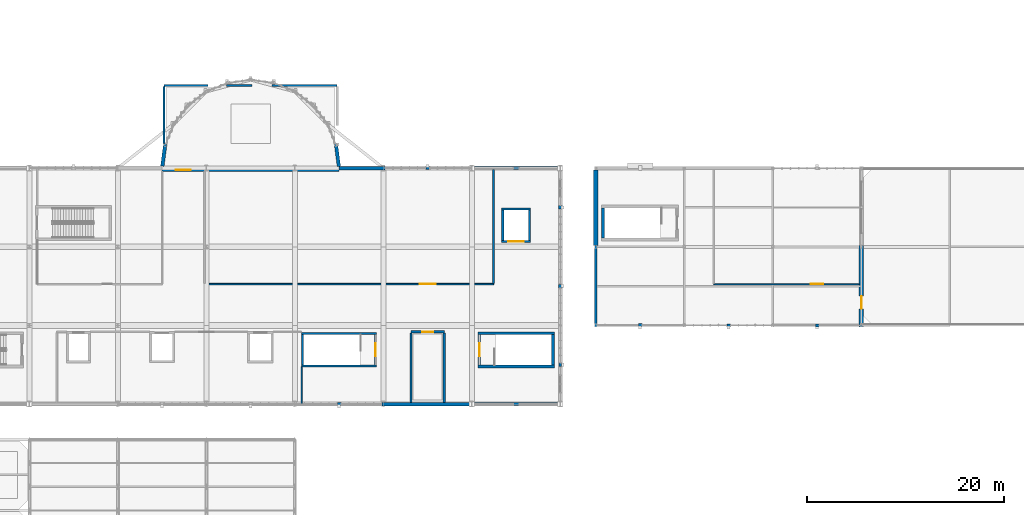
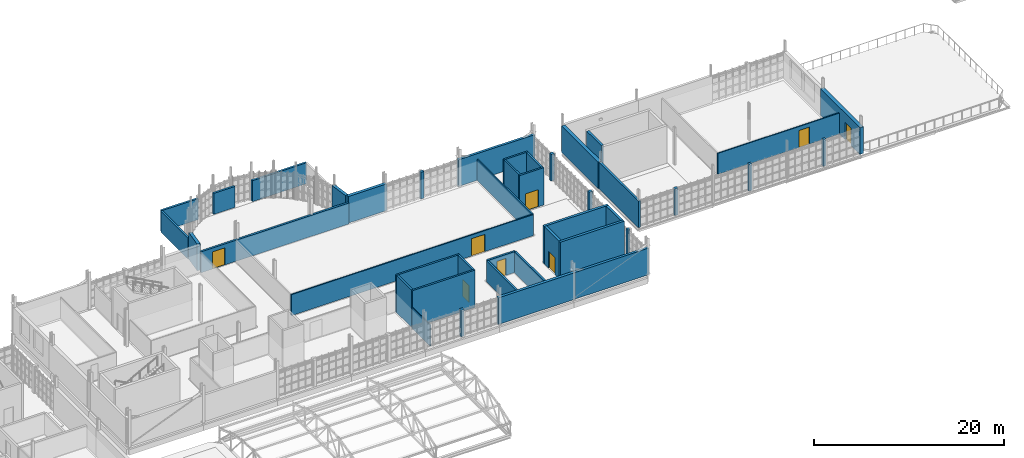
# One storey, part 115 of 128: 42 walls, 8 doors, 8 openings.
"""IFC4 building model written with IfcOpenShell, lengths in metres."""

from ifc_helpers import new_model, si_unit, direction, frame, frame_2d, origin, place, context, subcontext, project, spatial, rectangle, extrude, material, layer, layer_set, type_object, element, fill, save


model = new_model("IFC4")

# Units and contexts
model_context = context("Model", 3, precision=1e-05, world=origin(), true_north=direction((0.0, 1.0)))
body_context = subcontext(model_context, "Body", "Model", "MODEL_VIEW")
ifc_project = project(units=[si_unit("LENGTHUNIT", "METRE"), si_unit("AREAUNIT", "SQUARE_METRE"), si_unit("VOLUMEUNIT", "CUBIC_METRE"), si_unit("PLANEANGLEUNIT", "RADIAN"), si_unit("MASSUNIT", "GRAM", prefix="KILO")], contexts=[model_context])

# Site, building, storey
site_placement = place(None, origin())
site = spatial("IfcSite", under=ifc_project, at=site_placement, CompositionType="ELEMENT")
building_placement = place(site_placement, origin())
building = spatial("IfcBuilding", under=site, at=building_placement, Name="Serraforn Aerial Cableway Station", CompositionType="ELEMENT")
storey_placement = place(building_placement, frame((0.0, 0.0, 9.0)))
storey = spatial("IfcBuildingStorey", under=building, at=storey_placement, Name="L02", CompositionType="ELEMENT", Elevation=9.0)

# Wall, opening, door
ifc_material_1 = material(Name="Concrete C35/45", Category="concrete")
ifc_layer_1 = layer(ifc_material_1, 0.219970703125)
ifc_layer_set_1 = layer_set([ifc_layer_1], Name="Concrete C35/45")
wall_type_1 = type_object("IfcWallType", Name="WL-COR-220", PredefinedType="SHEAR", material=ifc_layer_set_1)
wall_1_placement = place(storey_placement, frame((71.81005859375, 25.06005859375, 0.0), z_axis=(0.0, 0.0, 1.0), x_axis=(0.0, -1.0, 0.0)))
wall_1 = element("IfcWall", 1, at=wall_1_placement, inside=storey, type_object=wall_type_1, Name="Stair Core Shear Wall WCOR-ST-05-L02-NEAR", PredefinedType="SHEAR", context=body_context, shape_type="SweptSolid", body=[
    extrude(rectangle(XDim=3.06005859375, YDim=0.219970703125, at=frame_2d((1.530029296875, 0.0))), origin(), (0.0, 0.0, 1.0), 4.800048828125),
])
opening_1_placement = place(wall_1_placement, frame((0.85498046875, 0.0, 0.0)))
opening_1 = element("IfcOpeningElement", 2, at=opening_1_placement, cuts=wall_1, Name="Opening D-S25", PredefinedType="OPENING", context=body_context, shape_type="SweptSolid", body=[
    extrude(rectangle(XDim=1.35009765625, YDim=2.14990234375, at=frame_2d((0.675048828125, 1.074951171875))), frame((0.0, 0.119873046875, 0.0), z_axis=(0.0, -1.0, 0.0), x_axis=(1.0, 0.0, 0.0)), (0.0, 0.0, 1.0), 0.239990234375),
])
ifc_material_2 = material(Name="Self-closing steel stair fire door", Category="steel")
door_type_1 = type_object("IfcDoorType", Name="DR-STAIR-135", OperationType="NOTDEFINED", PredefinedType="DOOR", material=ifc_material_2)
door_1_placement = place(opening_1_placement, origin())
door_1 = element("IfcDoor", 3, at=door_1_placement, inside=storey, type_object=door_type_1, Name="Protected Stair Door D-S25", OperationType="SINGLE_SWING_LEFT", OverallHeight=2.14990234375, OverallWidth=1.35009765625, PredefinedType="DOOR", context=body_context, shape_type="SweptSolid", body=[
    extrude(rectangle(XDim=1.35009765625, YDim=2.14990234375, at=frame_2d((0.675048828125, 1.074951171875))), frame((0.0, 0.02490234375, 0.0), z_axis=(0.0, -1.0, 0.0), x_axis=(1.0, 0.0, 0.0)), (0.0, 0.0, 1.0), 0.050048828125),
])
fill(opening_1, door_1)

# Walls
wall_2_placement = place(storey_placement, frame((64.389892578125, 25.06005859375, 0.0), z_axis=(0.0, 0.0, 1.0), x_axis=(0.0, -1.0, 0.0)))
element("IfcWall", 4, at=wall_2_placement, inside=storey, type_object=wall_type_1, Name="Stair Core Shear Wall WCOR-ST-05-L02-FAR", PredefinedType="SHEAR", context=body_context, shape_type="SweptSolid", body=[
    extrude(rectangle(XDim=3.06005859375, YDim=0.219970703125, at=frame_2d((1.530029296875, 0.0))), origin(), (0.0, 0.0, 1.0), 4.800048828125),
])
for number, where, z_axis, x_axis, name in (
    (5, (71.919921875, 25.169921875, 0.0), (0.0, 0.0, 1.0), (-1.0, 0.0, 0.0), "Stair Core Shear Wall WCOR-ST-05-L02-L"),
    (6, (71.919921875, 21.889892578125, 0.0), (0.0, 0.0, 1.0), (-1.0, 0.0, 0.0), "Stair Core Shear Wall WCOR-ST-05-L02-R"),
):
    element("IfcWall", number, at=place(storey_placement, frame(where, z_axis=z_axis, x_axis=x_axis)), inside=storey, type_object=wall_type_1, Name=name, PredefinedType="SHEAR", context=body_context, shape_type="SweptSolid", body=[
        extrude(rectangle(XDim=7.639892578125, YDim=0.219970703125, at=frame_2d((3.81982421875, 0.0))), origin(), (0.0, 0.0, 1.0), 4.800048828125),
    ])

# Wall, opening, door
wall_3_placement = place(storey_placement, frame((84.6298828125, 34.5400390625, 0.0), z_axis=(0.0, 0.0, 1.0), x_axis=(1.0, 0.0, 0.0)))
wall_3 = element("IfcWall", 7, at=wall_3_placement, inside=storey, type_object=wall_type_1, Name="Lift Shaft Shear Wall WLFT-LF-05-L02-S", PredefinedType="SHEAR", context=body_context, shape_type="SweptSolid", body=[
    extrude(rectangle(XDim=2.940185546875, YDim=0.219970703125, at=frame_2d((1.47021484375, 0.0))), origin(), (0.0, 0.0, 1.0), 4.800048828125),
])
opening_2_placement = place(wall_3_placement, frame((0.669921875, 0.0, 0.0)))
opening_2 = element("IfcOpeningElement", 8, at=opening_2_placement, cuts=wall_3, Name="Opening LD-21", PredefinedType="OPENING", context=body_context, shape_type="SweptSolid", body=[
    extrude(rectangle(XDim=1.60009765625, YDim=2.199951171875, at=frame_2d((0.800048828125, 1.10009765625))), frame((0.0, 0.119873046875, 0.0), z_axis=(0.0, -1.0, 0.0), x_axis=(1.0, 0.0, 0.0)), (0.0, 0.0, 1.0), 0.239990234375),
])
ifc_material_3 = material(Name="Brushed stainless-steel sliding lift landing door", Category="steel")
door_type_2 = type_object("IfcDoorType", Name="DR-LIFT-160", OperationType="DOUBLE_DOOR_SLIDING", PredefinedType="DOOR", material=ifc_material_3)
door_2_placement = place(opening_2_placement, origin())
door_2 = element("IfcDoor", 9, at=door_2_placement, inside=storey, type_object=door_type_2, Name="Sliding Lift Landing Door LD-21 (LF-05 L02)", OperationType="DOUBLE_DOOR_SLIDING", OverallHeight=2.199951171875, OverallWidth=1.60009765625, PredefinedType="DOOR", context=body_context, shape_type="SweptSolid", body=[
    extrude(rectangle(XDim=1.60009765625, YDim=2.199951171875, at=frame_2d((0.800048828125, 1.10009765625))), frame((0.0, 0.02490234375, 0.0), z_axis=(0.0, -1.0, 0.0), x_axis=(1.0, 0.0, 0.0)), (0.0, 0.0, 1.0), 0.050048828125),
])
fill(opening_2, door_2)

# Walls
wall_4_placement = place(storey_placement, frame((84.6298828125, 37.860107421875, 0.0), z_axis=(0.0, 0.0, 1.0), x_axis=(1.0, 0.0, 0.0)))
element("IfcWall", 10, at=wall_4_placement, inside=storey, type_object=wall_type_1, Name="Lift Shaft Shear Wall WLFT-LF-05-L02-N", PredefinedType="SHEAR", context=body_context, shape_type="SweptSolid", body=[
    extrude(rectangle(XDim=2.940185546875, YDim=0.219970703125, at=frame_2d((1.47021484375, 0.0))), origin(), (0.0, 0.0, 1.0), 4.800048828125),
])
for number, where, z_axis, x_axis, name in (
    (11, (84.739990234375, 34.64990234375, 0.0), (0.0, 0.0, 1.0), (0.0, 1.0, 0.0), "Lift Shaft Shear Wall WLFT-LF-05-L02-W"),
    (12, (87.4599609375, 34.64990234375, 0.0), (0.0, 0.0, 1.0), (0.0, 1.0, 0.0), "Lift Shaft Shear Wall WLFT-LF-05-L02-E"),
):
    element("IfcWall", number, at=place(storey_placement, frame(where, z_axis=z_axis, x_axis=x_axis)), inside=storey, type_object=wall_type_1, Name=name, PredefinedType="SHEAR", context=body_context, shape_type="SweptSolid", body=[
        extrude(rectangle(XDim=3.10009765625, YDim=0.219970703125, at=frame_2d((1.550048828125, 0.0))), origin(), (0.0, 0.0, 1.0), 4.800048828125),
    ])

# Wall, opening, door
ifc_layer_2 = layer(ifc_material_1, 0.300048828125)
ifc_layer_set_2 = layer_set([ifc_layer_2], Name="Concrete C35/45")
wall_type_2 = type_object("IfcWallType", Name="WL-COR-300", PredefinedType="SHEAR", material=ifc_layer_set_2)
wall_5_placement = place(storey_placement, frame((82.35009765625, 22.0, 0.0), z_axis=(0.0, 0.0, 1.0), x_axis=(0.0, 1.0, 0.0)))
wall_5 = element("IfcWall", 13, at=wall_5_placement, inside=storey, type_object=wall_type_2, Name="Stair Core Shear Wall WCOR-ST-13-L02-NEAR", PredefinedType="SHEAR", context=body_context, shape_type="SweptSolid", body=[
    extrude(rectangle(XDim=3.06005859375, YDim=0.300048828125, at=frame_2d((1.530029296875, 0.0))), origin(), (0.0, 0.0, 1.0), 4.800048828125),
])
opening_3_placement = place(wall_5_placement, frame((0.85498046875, 0.0, 0.0)))
opening_3 = element("IfcOpeningElement", 14, at=opening_3_placement, cuts=wall_5, Name="Opening D-S28", PredefinedType="OPENING", context=body_context, shape_type="SweptSolid", body=[
    extrude(rectangle(XDim=1.35009765625, YDim=2.14990234375, at=frame_2d((0.675048828125, 1.074951171875))), frame((0.0, 0.159912109375, 0.0), z_axis=(0.0, -1.0, 0.0), x_axis=(1.0, 0.0, 0.0)), (0.0, 0.0, 1.0), 0.320068359375),
])
door_3_placement = place(opening_3_placement, origin())
door_3 = element("IfcDoor", 15, at=door_3_placement, inside=storey, type_object=door_type_1, Name="Protected Stair Door D-S28", OperationType="SINGLE_SWING_LEFT", OverallHeight=2.14990234375, OverallWidth=1.35009765625, PredefinedType="DOOR", context=body_context, shape_type="SweptSolid", body=[
    extrude(rectangle(XDim=1.35009765625, YDim=2.14990234375, at=frame_2d((0.675048828125, 1.074951171875))), frame((0.0, 0.02490234375, 0.0), z_axis=(0.0, -1.0, 0.0), x_axis=(1.0, 0.0, 0.0)), (0.0, 0.0, 1.0), 0.050048828125),
])
fill(opening_3, door_3)

# Walls
wall_6_placement = place(storey_placement, frame((89.85009765625, 22.0, 0.0), z_axis=(0.0, 0.0, 1.0), x_axis=(0.0, 1.0, 0.0)))
element("IfcWall", 16, at=wall_6_placement, inside=storey, type_object=wall_type_2, Name="Stair Core Shear Wall WCOR-ST-13-L02-FAR", PredefinedType="SHEAR", context=body_context, shape_type="SweptSolid", body=[
    extrude(rectangle(XDim=3.06005859375, YDim=0.300048828125, at=frame_2d((1.530029296875, 0.0))), origin(), (0.0, 0.0, 1.0), 4.800048828125),
])
for number, where, z_axis, x_axis, name in (
    (17, (82.199951171875, 21.85009765625, 0.0), (0.0, 0.0, 1.0), (1.0, 0.0, 0.0), "Stair Core Shear Wall WCOR-ST-13-L02-L"),
    (18, (82.199951171875, 25.2099609375, 0.0), (0.0, 0.0, 1.0), (1.0, 0.0, 0.0), "Stair Core Shear Wall WCOR-ST-13-L02-R"),
):
    element("IfcWall", number, at=place(storey_placement, frame(where, z_axis=z_axis, x_axis=x_axis)), inside=storey, type_object=wall_type_2, Name=name, PredefinedType="SHEAR", context=body_context, shape_type="SweptSolid", body=[
        extrude(rectangle(XDim=7.800048828125, YDim=0.300048828125, at=frame_2d((3.89990234375, 0.0))), origin(), (0.0, 0.0, 1.0), 4.800048828125),
    ])
wall_7_placement = place(storey_placement, frame((94.949951171875, 37.9599609375, 0.0), z_axis=(0.0, 0.0, 1.0), x_axis=(0.0, -1.0, 0.0)))
element("IfcWall", 19, at=wall_7_placement, inside=storey, type_object=wall_type_2, Name="Stair Core Shear Wall WCOR-ST-08-L02-FAR", PredefinedType="SHEAR", context=body_context, shape_type="SweptSolid", body=[
    extrude(rectangle(XDim=3.06005859375, YDim=0.300048828125, at=frame_2d((1.530029296875, 0.0))), origin(), (0.0, 0.0, 1.0), 4.800048828125),
])
ifc_material_4 = material(Name="Insulated stuccoed terracotta facade", Category="masonry")
ifc_layer_3 = layer(ifc_material_4, 0.260009765625)
ifc_layer_set_3 = layer_set([ifc_layer_3], Name="Insulated stuccoed terracotta facade")
wall_type_3 = type_object("IfcWallType", Name="WL-EXT-260", PredefinedType="SOLIDWALL", material=ifc_layer_set_3)
wall_8_placement = place(storey_placement, frame((90.60009765625, 21.820068359375, 0.0), z_axis=(0.0, 0.0, 1.0), x_axis=(0.0, 1.0, 0.0)))
element("IfcWall", 20, at=wall_8_placement, inside=storey, type_object=wall_type_3, Name="Exterior Wall WPIER-CV-L02-E1", PredefinedType="SOLIDWALL", context=body_context, shape_type="SweptSolid", body=[
    extrude(rectangle(XDim=0.35986328125, YDim=0.260009765625, at=frame_2d((0.179931640625, 0.0))), origin(), (0.0, 0.0, 1.0), 3.419921875),
])
wall_9_placement = place(storey_placement, frame((94.199951171875, 34.14990234375, 0.0), z_axis=(0.0, 0.0, 1.0), x_axis=(0.0, -1.0, 0.0)))
element("IfcWall", 21, at=wall_9_placement, inside=storey, type_object=wall_type_3, Name="Exterior Wall WEXT-EL-L02-W1", PredefinedType="SOLIDWALL", context=body_context, shape_type="SweptSolid", body=[
    extrude(rectangle(XDim=8.2998046875, YDim=0.260009765625, at=frame_2d((4.14990234375, 0.0))), origin(), (0.0, 0.0, 1.0), 3.419921875),
])
ifc_material_5 = material(Name="Insulated fluted limestone rainscreen", Category="masonry")
ifc_layer_4 = layer(ifc_material_5, 0.2900390625)
ifc_layer_set_4 = layer_set([ifc_layer_4], Name="Insulated fluted limestone rainscreen")
wall_type_4 = type_object("IfcWallType", Name="WL-EXT-290", PredefinedType="SOLIDWALL", material=ifc_layer_set_4)
wall_10_placement = place(storey_placement, frame((90.75, 42.0, 0.0), z_axis=(0.0, 0.0, 1.0), x_axis=(-1.0, 0.0, 0.0)))
element("IfcWall", 22, at=wall_10_placement, inside=storey, type_object=wall_type_4, Name="Exterior Wall WEXT-CV-L02-N7", PredefinedType="SOLIDWALL", context=body_context, shape_type="SweptSolid", body=[
    extrude(rectangle(XDim=9.300048828125, YDim=0.2900390625, at=frame_2d((4.64990234375, 0.0))), origin(), (0.0, 0.0, 1.0), 3.419921875),
])
wall_11_placement = place(storey_placement, frame((116.52001953125, 26.0, 0.0), z_axis=(0.0, 0.0, 1.0), x_axis=(1.0, 0.0, 0.0)))
element("IfcWall", 23, at=wall_11_placement, inside=storey, type_object=wall_type_4, Name="Exterior Wall WPIER-EL-L02-S3", PredefinedType="SOLIDWALL", context=body_context, shape_type="SweptSolid", body=[
    extrude(rectangle(XDim=0.35986328125, YDim=0.2900390625, at=frame_2d((0.179931640625, 0.0))), origin(), (0.0, 0.0, 1.0), 3.419921875),
])
ifc_layer_5 = layer(ifc_material_5, 0.304931640625)
ifc_layer_set_5 = layer_set([ifc_layer_5], Name="Insulated fluted limestone rainscreen")
wall_type_5 = type_object("IfcWallType", Name="WL-EXT-305", PredefinedType="SOLIDWALL", material=ifc_layer_set_5)
wall_12_placement = place(storey_placement, frame((81.7509765625, 18.0, 0.0), z_axis=(0.0, 0.0, 1.0), x_axis=(1.0, 0.0, 0.0)))
element("IfcWall", 24, at=wall_12_placement, inside=storey, type_object=wall_type_5, Name="Exterior Wall WEXT-CV-L02-S7", PredefinedType="SOLIDWALL", context=body_context, shape_type="SweptSolid", body=[
    extrude(rectangle(XDim=8.9990234375, YDim=0.304931640625, at=frame_2d((4.49951171875, 0.0))), origin(), (0.0, 0.0, 1.0), 3.419921875),
])
ifc_layer_6 = layer(ifc_material_5, 0.320068359375)
ifc_layer_set_6 = layer_set([ifc_layer_6], Name="Insulated fluted limestone rainscreen")
wall_type_6 = type_object("IfcWallType", Name="WL-EXT-320", PredefinedType="SOLIDWALL", material=ifc_layer_set_6)
wall_13_placement = place(storey_placement, frame((77.280029296875, 42.0, 0.0), z_axis=(0.0, 0.0, 1.0), x_axis=(-1.0, 0.0, 0.0)))
element("IfcWall", 25, at=wall_13_placement, inside=storey, type_object=wall_type_6, Name="Exterior Wall WPIER-CV-L02-N6", PredefinedType="SOLIDWALL", context=body_context, shape_type="SweptSolid", body=[
    extrude(rectangle(XDim=0.360107421875, YDim=0.320068359375, at=frame_2d((0.18017578125, 0.0))), origin(), (0.0, 0.0, 1.0), 3.419921875),
])
wall_14_placement = place(storey_placement, frame((107.52001953125, 26.0, 0.0), z_axis=(0.0, 0.0, 1.0), x_axis=(1.0, 0.0, 0.0)))
element("IfcWall", 26, at=wall_14_placement, inside=storey, type_object=wall_type_6, Name="Exterior Wall WPIER-EL-L02-S2", PredefinedType="SOLIDWALL", context=body_context, shape_type="SweptSolid", body=[
    extrude(rectangle(XDim=0.35986328125, YDim=0.320068359375, at=frame_2d((0.179931640625, 0.0))), origin(), (0.0, 0.0, 1.0), 3.419921875),
])
ifc_layer_7 = layer(ifc_material_5, 0.3349609375)
ifc_layer_set_7 = layer_set([ifc_layer_7], Name="Insulated fluted limestone rainscreen")
wall_type_7 = type_object("IfcWallType", Name="WL-EXT-335", PredefinedType="SOLIDWALL", material=ifc_layer_set_7)
wall_15_placement = place(storey_placement, frame((72.449951171875, 18.0, 0.0), z_axis=(0.0, 0.0, 1.0), x_axis=(1.0, 0.0, 0.0)))
element("IfcWall", 27, at=wall_15_placement, inside=storey, type_object=wall_type_7, Name="Exterior Wall WEXT-CV-L02-S6", PredefinedType="SOLIDWALL", context=body_context, shape_type="SweptSolid", body=[
    extrude(rectangle(XDim=9.300048828125, YDim=0.3349609375, at=frame_2d((4.64990234375, 0.0))), origin(), (0.0, 0.0, 1.0), 3.419921875),
])
ifc_material_6 = material(Name="Montjuic sandstone ashlar masonry", Category="masonry")
ifc_layer_8 = layer(ifc_material_6, 0.35009765625)
ifc_layer_set_8 = layer_set([ifc_layer_8], Name="Montjuic sandstone ashlar masonry")
wall_type_8 = type_object("IfcWallType", Name="WL-EXT-350", PredefinedType="SOLIDWALL", material=ifc_layer_set_8)
wall_16_placement = place(storey_placement, frame((72.75, 42.0, 0.0), z_axis=(0.0, 0.0, 1.0), x_axis=(-1.0, 0.0, 0.0)))
element("IfcWall", 28, at=wall_16_placement, inside=storey, type_object=wall_type_8, Name="Exterior Wall WEXT-CV-L02-N5", PredefinedType="SOLIDWALL", context=body_context, shape_type="SweptSolid", body=[
    extrude(rectangle(XDim=4.64990234375, YDim=0.35009765625, at=frame_2d((2.324951171875, 0.0))), origin(), (0.0, 0.0, 1.0), 3.419921875),
])
wall_17_placement = place(storey_placement, frame((68.0771484375, 42.173095703125, 0.0), z_axis=(0.0, 0.0, 1.0), x_axis=(-0.130563022508, 0.991440011878, 0.0)))
element("IfcWall", 29, at=wall_17_placement, inside=storey, type_object=wall_type_8, Name="Exterior Wall WEXT-AP-L02-R12", PredefinedType="SOLIDWALL", context=body_context, shape_type="SweptSolid", body=[
    extrude(rectangle(XDim=2.328125, YDim=0.35009765625, at=frame_2d((1.1640625, 0.0))), origin(), (0.0, 0.0, 1.0), 3.419921875),
])
wall_18_placement = place(storey_placement, frame((98.52001953125, 26.0, 0.0), z_axis=(0.0, 0.0, 1.0), x_axis=(1.0, 0.0, 0.0)))
element("IfcWall", 30, at=wall_18_placement, inside=storey, type_object=wall_type_8, Name="Exterior Wall WPIER-EL-L02-S1", PredefinedType="SOLIDWALL", context=body_context, shape_type="SweptSolid", body=[
    extrude(rectangle(XDim=0.35986328125, YDim=0.35009765625, at=frame_2d((0.179931640625, 0.0))), origin(), (0.0, 0.0, 1.0), 3.419921875),
])
ifc_layer_9 = layer(ifc_material_6, 0.364990234375)
ifc_layer_set_9 = layer_set([ifc_layer_9], Name="Montjuic sandstone ashlar masonry")
wall_type_9 = type_object("IfcWallType", Name="WL-EXT-365", PredefinedType="SOLIDWALL", material=ifc_layer_set_9)
wall_19_placement = place(storey_placement, frame((67.919921875, 18.0, 0.0), z_axis=(0.0, 0.0, 1.0), x_axis=(1.0, 0.0, 0.0)))
element("IfcWall", 31, at=wall_19_placement, inside=storey, type_object=wall_type_9, Name="Exterior Wall WPIER-CV-L02-S5", PredefinedType="SOLIDWALL", context=body_context, shape_type="SweptSolid", body=[
    extrude(rectangle(XDim=0.360107421875, YDim=0.364990234375, at=frame_2d((0.18017578125, 0.0))), origin(), (0.0, 0.0, 1.0), 3.419921875),
])
wall_20_placement = place(storey_placement, frame((50.4267578125, 44.481201171875, 0.0), z_axis=(0.0, 0.0, 1.0), x_axis=(-0.130580632599, -0.991437692641, 0.0)))
element("IfcWall", 32, at=wall_20_placement, inside=storey, type_object=wall_type_9, Name="Exterior Wall WEXT-AP-L02-R1", PredefinedType="SOLIDWALL", context=body_context, shape_type="SweptSolid", body=[
    extrude(rectangle(XDim=2.303466796875, YDim=0.364990234375, at=frame_2d((1.15185546875, 0.0))), origin(), (0.0, 0.0, 1.0), 3.419921875),
])
ifc_layer_10 = layer(ifc_material_6, 0.3798828125)
ifc_layer_set_10 = layer_set([ifc_layer_10], Name="Montjuic sandstone ashlar masonry")
wall_type_10 = type_object("IfcWallType", Name="WL-EXT-380", PredefinedType="SOLIDWALL", material=ifc_layer_set_10)
wall_21_placement = place(storey_placement, frame((90.60009765625, 37.820068359375, 0.0), z_axis=(0.0, 0.0, 1.0), x_axis=(0.0, 1.0, 0.0)))
element("IfcWall", 33, at=wall_21_placement, inside=storey, type_object=wall_type_10, Name="Exterior Wall WPIER-CV-L02-E3", PredefinedType="SOLIDWALL", context=body_context, shape_type="SweptSolid", body=[
    extrude(rectangle(XDim=0.35986328125, YDim=0.3798828125, at=frame_2d((0.179931640625, 0.0))), origin(), (0.0, 0.0, 1.0), 3.419921875),
])
ifc_layer_11 = layer(ifc_material_6, 0.4150390625)
ifc_layer_set_11 = layer_set([ifc_layer_11], Name="Montjuic sandstone ashlar masonry")
wall_type_11 = type_object("IfcWallType", Name="WL-EXT-415", PredefinedType="SOLIDWALL", material=ifc_layer_set_11)
wall_22_placement = place(storey_placement, frame((90.60009765625, 29.820068359375, 0.0), z_axis=(0.0, 0.0, 1.0), x_axis=(0.0, 1.0, 0.0)))
element("IfcWall", 34, at=wall_22_placement, inside=storey, type_object=wall_type_11, Name="Exterior Wall WPIER-CV-L02-E2", PredefinedType="SOLIDWALL", context=body_context, shape_type="SweptSolid", body=[
    extrude(rectangle(XDim=0.35986328125, YDim=0.4150390625, at=frame_2d((0.179931640625, 0.0))), origin(), (0.0, 0.0, 1.0), 3.419921875),
])
wall_23_placement = place(storey_placement, frame((94.199951171875, 41.83154296875, 0.0), z_axis=(0.0, 0.0, 1.0), x_axis=(0.0, -1.0, 0.0)))
element("IfcWall", 35, at=wall_23_placement, inside=storey, type_object=wall_type_11, Name="Exterior Wall WEXT-EL-L02-W2", PredefinedType="SOLIDWALL", context=body_context, shape_type="SweptSolid", body=[
    extrude(rectangle(XDim=7.6806640625, YDim=0.4150390625, at=frame_2d((3.84033203125, 0.0))), origin(), (0.0, 0.0, 1.0), 3.419921875),
])

# Wall, opening, door
ifc_layer_12 = layer(ifc_material_6, 0.429931640625)
ifc_layer_set_12 = layer_set([ifc_layer_12], Name="Montjuic sandstone ashlar masonry")
wall_type_12 = type_object("IfcWallType", Name="WL-EXT-430", PredefinedType="SOLIDWALL", material=ifc_layer_set_12)
wall_24_placement = place(storey_placement, frame((121.199951171875, 25.85009765625, 0.0), z_axis=(0.0, 0.0, 1.0), x_axis=(0.0, 1.0, 0.0)))
wall_24 = element("IfcWall", 36, at=wall_24_placement, inside=storey, type_object=wall_type_12, Name="Exterior Wall WEXT-EL-L02-E1", PredefinedType="SOLIDWALL", context=body_context, shape_type="SweptSolid", body=[
    extrude(rectangle(XDim=8.2998046875, YDim=0.429931640625, at=frame_2d((4.14990234375, 0.0))), origin(), (0.0, 0.0, 1.0), 3.419921875),
])
opening_4_placement = place(wall_24_placement, frame((1.840087890625, 0.0, 0.0)))
opening_4 = element("IfcOpeningElement", 37, at=opening_4_placement, cuts=wall_24, Name="Opening DT-03", PredefinedType="OPENING", context=body_context, shape_type="SweptSolid", body=[
    extrude(rectangle(XDim=1.300048828125, YDim=2.25, at=frame_2d((0.64990234375, 1.125))), frame((0.0, 0.224853515625, 0.0), z_axis=(0.0, -1.0, 0.0), x_axis=(1.0, 0.0, 0.0)), (0.0, 0.0, 1.0), 0.449951171875),
])
ifc_material_7 = material(Name="Anodised bronze thermally broken aluminium and laminated glass", Category="aluminium")
door_type_3 = type_object("IfcDoorType", Name="DR-TER-130", OperationType="SINGLE_SWING_RIGHT", PredefinedType="DOOR", material=ifc_material_7)
door_4_placement = place(opening_4_placement, origin())
door_4 = element("IfcDoor", 38, at=door_4_placement, inside=storey, type_object=door_type_3, Name="Exterior Door DT-EL-L02-TER", OperationType="SINGLE_SWING_RIGHT", OverallHeight=2.25, OverallWidth=1.300048828125, PredefinedType="DOOR", context=body_context, shape_type="SweptSolid", body=[
    extrude(rectangle(XDim=1.300048828125, YDim=2.25, at=frame_2d((0.64990234375, 1.125))), frame((0.0, 0.02490234375, 0.0), z_axis=(0.0, -1.0, 0.0), x_axis=(1.0, 0.0, 0.0)), (0.0, 0.0, 1.0), 0.050048828125),
])
fill(opening_4, door_4)

# Walls
ifc_material_8 = material(Name="Concrete C30/37", Category="concrete")
ifc_layer_13 = layer(ifc_material_8, 0.241943359375)
ifc_layer_set_13 = layer_set([ifc_layer_13], Name="Concrete C30/37")
wall_type_13 = type_object("IfcWallType", Name="WL-FIR-242", PredefinedType="SOLIDWALL", material=ifc_layer_set_13)
wall_25_placement = place(storey_placement, frame((50.300048828125, 50.39990234375, 0.0), z_axis=(0.0, 0.0, 1.0), x_axis=(1.0, 0.0, 0.0)))
element("IfcWall", 39, at=wall_25_placement, inside=storey, type_object=wall_type_13, Name="Interior Partition WPRT-L02-06-180", PredefinedType="SOLIDWALL", context=body_context, shape_type="SweptSolid", body=[
    extrude(rectangle(XDim=4.44287109375, YDim=0.241943359375, at=frame_2d((2.221435546875, 0.0))), origin(), (0.0, 0.0, 1.0), 2.699951171875),
])
wall_26_placement = place(storey_placement, frame((61.299560546875, 50.39990234375, 0.0), z_axis=(0.0, 0.0, 1.0), x_axis=(1.0, 0.0, 0.0)))
element("IfcWall", 40, at=wall_26_placement, inside=storey, type_object=wall_type_13, Name="Interior Partition WPRT-L02-06-182", PredefinedType="SOLIDWALL", context=body_context, shape_type="SweptSolid", body=[
    extrude(rectangle(XDim=6.600341796875, YDim=0.241943359375, at=frame_2d((3.30029296875, 0.0))), origin(), (0.0, 0.0, 1.0), 2.699951171875),
])

# Wall, opening, door
wall_27_placement = place(storey_placement, frame((68.09912109375, 41.800048828125, 0.0), z_axis=(0.0, 0.0, 1.0), x_axis=(-1.0, 0.0, 0.0)))
wall_27 = element("IfcWall", 41, at=wall_27_placement, inside=storey, type_object=wall_type_13, Name="Interior Partition WPRT-L02-06-184", PredefinedType="SOLIDWALL", context=body_context, shape_type="SweptSolid", body=[
    extrude(rectangle(XDim=17.9990234375, YDim=0.241943359375, at=frame_2d((8.99951171875, 0.0))), origin(), (0.0, 0.0, 1.0), 2.699951171875),
])
opening_5_placement = place(wall_27_placement, frame((15.089111328125, 0.0, 0.0)))
opening_5 = element("IfcOpeningElement", 42, at=opening_5_placement, cuts=wall_27, Name="Opening DI-056", PredefinedType="OPENING", context=body_context, shape_type="SweptSolid", body=[
    extrude(rectangle(XDim=1.52001953125, YDim=2.199951171875, at=frame_2d((0.760009765625, 1.10009765625))), frame((0.0, 0.130859375, 0.0), z_axis=(0.0, -1.0, 0.0), x_axis=(1.0, 0.0, 0.0)), (0.0, 0.0, 1.0), 0.261962890625),
])
ifc_material_9 = material(Name="Double-leaf glazed concourse door")
door_type_4 = type_object("IfcDoorType", Name="DR-INT-152", OperationType="NOTDEFINED", PredefinedType="DOOR", material=ifc_material_9)
door_5_placement = place(opening_5_placement, origin())
door_5 = element("IfcDoor", 43, at=door_5_placement, inside=storey, type_object=door_type_4, Name="Room Door DI-056 (L02-06)", OperationType="SINGLE_SWING_LEFT", OverallHeight=2.199951171875, OverallWidth=1.52001953125, PredefinedType="DOOR", context=body_context, shape_type="SweptSolid", body=[
    extrude(rectangle(XDim=1.52001953125, YDim=2.199951171875, at=frame_2d((0.760009765625, 1.10009765625))), frame((0.0, 0.02490234375, 0.0), z_axis=(0.0, -1.0, 0.0), x_axis=(1.0, 0.0, 0.0)), (0.0, 0.0, 1.0), 0.050048828125),
])
fill(opening_5, door_5)

# Wall
ifc_material_10 = material(Name="Sanitary service chase partition")
ifc_layer_14 = layer(ifc_material_10, 0.22802734375)
ifc_layer_set_14 = layer_set([ifc_layer_14], Name="Sanitary service chase partition")
wall_type_14 = type_object("IfcWallType", Name="WL-PLM-228", PredefinedType="PLUMBINGWALL", material=ifc_layer_set_14)
wall_28_placement = place(storey_placement, frame((75.39990234375, 18.16845703125, 0.0), z_axis=(0.0, 0.0, 1.0), x_axis=(0.0, 1.0, 0.0)))
element("IfcWall", 44, at=wall_28_placement, inside=storey, type_object=wall_type_14, Name="Interior Partition WPRT-L02-09-164", PredefinedType="PLUMBINGWALL", context=body_context, shape_type="SweptSolid", body=[
    extrude(rectangle(XDim=7.066650390625, YDim=0.22802734375, at=frame_2d((3.533203125, 0.0))), origin(), (0.0, 0.0, 1.0), 2.699951171875),
])

# Wall, opening, door
wall_29_placement = place(storey_placement, frame((75.39990234375, 25.35009765625, 0.0), z_axis=(0.0, 0.0, 1.0), x_axis=(1.0, 0.0, 0.0)))
wall_29 = element("IfcWall", 45, at=wall_29_placement, inside=storey, type_object=wall_type_14, Name="Interior Partition WPRT-L02-09-165", PredefinedType="PLUMBINGWALL", context=body_context, shape_type="SweptSolid", body=[
    extrude(rectangle(XDim=3.400146484375, YDim=0.22802734375, at=frame_2d((1.7001953125, 0.0))), origin(), (0.0, 0.0, 1.0), 2.699951171875),
])
opening_6_placement = place(wall_29_placement, frame((1.139892578125, 0.0, 0.0)))
opening_6 = element("IfcOpeningElement", 46, at=opening_6_placement, cuts=wall_29, Name="Opening DI-052", PredefinedType="OPENING", context=body_context, shape_type="SweptSolid", body=[
    extrude(rectangle(XDim=1.1201171875, YDim=2.179931640625, at=frame_2d((0.56005859375, 1.08984375))), frame((0.0, 0.1240234375, 0.0), z_axis=(0.0, -1.0, 0.0), x_axis=(1.0, 0.0, 0.0)), (0.0, 0.0, 1.0), 0.248046875),
])
ifc_material_11 = material(Name="Fire-rated steel-core acoustic leaf", Category="steel")
door_type_5 = type_object("IfcDoorType", Name="DR-INT-112", OperationType="NOTDEFINED", PredefinedType="DOOR", material=ifc_material_11)
door_6_placement = place(opening_6_placement, origin())
door_6 = element("IfcDoor", 47, at=door_6_placement, inside=storey, type_object=door_type_5, Name="Room Door DI-052 (L02-09)", OperationType="SINGLE_SWING_LEFT", OverallHeight=2.179931640625, OverallWidth=1.1201171875, PredefinedType="DOOR", context=body_context, shape_type="SweptSolid", body=[
    extrude(rectangle(XDim=1.1201171875, YDim=2.179931640625, at=frame_2d((0.56005859375, 1.08984375))), frame((0.0, 0.02490234375, 0.0), z_axis=(0.0, -1.0, 0.0), x_axis=(1.0, 0.0, 0.0)), (0.0, 0.0, 1.0), 0.050048828125),
])
fill(opening_6, door_6)

# Walls
wall_30_placement = place(storey_placement, frame((78.800048828125, 25.235107421875, 0.0), z_axis=(0.0, 0.0, 1.0), x_axis=(0.0, -1.0, 0.0)))
element("IfcWall", 48, at=wall_30_placement, inside=storey, type_object=wall_type_14, Name="Interior Partition WPRT-L02-09-166", PredefinedType="PLUMBINGWALL", context=body_context, shape_type="SweptSolid", body=[
    extrude(rectangle(XDim=7.066650390625, YDim=0.22802734375, at=frame_2d((3.533203125, 0.0))), origin(), (0.0, 0.0, 1.0), 2.699951171875),
])
ifc_material_12 = material(Name="Metal-stud gypsum partition")
ifc_layer_15 = layer(ifc_material_12, 0.114013671875)
ifc_layer_set_15 = layer_set([ifc_layer_15], Name="Metal-stud gypsum partition")
wall_type_15 = type_object("IfcWallType", Name="WL-PRT-114", PredefinedType="PARTITIONING", material=ifc_layer_set_15)
wall_31_placement = place(storey_placement, frame((64.300048828125, 21.779052734375, 0.0), z_axis=(0.0, 0.0, 1.0), x_axis=(0.0, -1.0, 0.0)))
element("IfcWall", 49, at=wall_31_placement, inside=storey, type_object=wall_type_15, Name="Interior Partition WPRT-L02-07-172", PredefinedType="PARTITIONING", context=body_context, shape_type="SweptSolid", body=[
    extrude(rectangle(XDim=3.779052734375, YDim=0.114013671875, at=frame_2d((1.8896484375, 0.0))), origin(), (0.0, 0.0, 1.0), 2.699951171875),
])

# Wall, opening, door
ifc_layer_16 = layer(ifc_material_12, 0.1298828125)
ifc_layer_set_16 = layer_set([ifc_layer_16], Name="Metal-stud gypsum partition")
wall_type_16 = type_object("IfcWallType", Name="WL-PRT-130", PredefinedType="PARTITIONING", material=ifc_layer_set_16)
wall_32_placement = place(storey_placement, frame((120.98388671875, 30.199951171875, 0.0), z_axis=(0.0, 0.0, 1.0), x_axis=(-1.0, 0.0, 0.0)))
wall_32 = element("IfcWall", 50, at=wall_32_placement, inside=storey, type_object=wall_type_16, Name="Interior Partition WPRT-L02-11-189", PredefinedType="PARTITIONING", context=body_context, shape_type="SweptSolid", body=[
    extrude(rectangle(XDim=14.783935546875, YDim=0.1298828125, at=frame_2d((7.39208984375, 0.0))), origin(), (0.0, 0.0, 1.0), 2.699951171875),
])
opening_7_placement = place(wall_32_placement, frame((3.654052734375, 0.0, 0.0)))
opening_7 = element("IfcOpeningElement", 51, at=opening_7_placement, cuts=wall_32, Name="Opening DI-058", PredefinedType="OPENING", context=body_context, shape_type="SweptSolid", body=[
    extrude(rectangle(XDim=1.260009765625, YDim=2.179931640625, at=frame_2d((0.6298828125, 1.08984375))), frame((0.0, 0.074951171875, 0.0), z_axis=(0.0, -1.0, 0.0), x_axis=(1.0, 0.0, 0.0)), (0.0, 0.0, 1.0), 0.14990234375),
])
ifc_material_13 = material(Name="Double-leaf acoustic veneer door")
door_type_6 = type_object("IfcDoorType", Name="DR-INT-126U", OperationType="NOTDEFINED", PredefinedType="DOOR", material=ifc_material_13)
door_7_placement = place(opening_7_placement, origin())
door_7 = element("IfcDoor", 52, at=door_7_placement, inside=storey, type_object=door_type_6, Name="Room Door DI-058 (L02-11)", OperationType="SINGLE_SWING_LEFT", OverallHeight=2.179931640625, OverallWidth=1.260009765625, PredefinedType="DOOR", context=body_context, shape_type="SweptSolid", body=[
    extrude(rectangle(XDim=1.260009765625, YDim=2.179931640625, at=frame_2d((0.6298828125, 1.08984375))), frame((0.0, 0.02490234375, 0.0), z_axis=(0.0, -1.0, 0.0), x_axis=(1.0, 0.0, 0.0)), (0.0, 0.0, 1.0), 0.050048828125),
])
fill(opening_7, door_7)

ifc_material_14 = material(Name="Acoustic twin-stud gypsum partition")
ifc_layer_17 = layer(ifc_material_14, 0.14990234375)
ifc_layer_set_17 = layer_set([ifc_layer_17], Name="Acoustic twin-stud gypsum partition")
wall_type_17 = type_object("IfcWallType", Name="WL-PRT-150", PredefinedType="PARTITIONING", material=ifc_layer_set_17)
wall_33_placement = place(storey_placement, frame((83.800048828125, 30.199951171875, 0.0), z_axis=(0.0, 0.0, 1.0), x_axis=(-1.0, 0.0, 0.0)))
wall_33 = element("IfcWall", 53, at=wall_33_placement, inside=storey, type_object=wall_type_17, Name="Interior Partition WPRT-L02-05-187", PredefinedType="PARTITIONING", context=body_context, shape_type="SweptSolid", body=[
    extrude(rectangle(XDim=29.400146484375, YDim=0.14990234375, at=frame_2d((14.7001953125, 0.0))), origin(), (0.0, 0.0, 1.0), 2.699951171875),
])
opening_8_placement = place(wall_33_placement, frame((5.8798828125, 0.0, 0.0)))
opening_8 = element("IfcOpeningElement", 54, at=opening_8_placement, cuts=wall_33, Name="Opening DI-057", PredefinedType="OPENING", context=body_context, shape_type="SweptSolid", body=[
    extrude(rectangle(XDim=1.639892578125, YDim=2.219970703125, at=frame_2d((0.81982421875, 1.10986328125))), frame((0.0, 0.0849609375, 0.0), z_axis=(0.0, -1.0, 0.0), x_axis=(1.0, 0.0, 0.0)), (0.0, 0.0, 1.0), 0.169921875),
])
door_type_7 = type_object("IfcDoorType", Name="DR-INT-164", OperationType="NOTDEFINED", PredefinedType="DOOR", material=ifc_material_9)
door_8_placement = place(opening_8_placement, origin())
door_8 = element("IfcDoor", 55, at=door_8_placement, inside=storey, type_object=door_type_7, Name="Room Door DI-057 (L02-05)", OperationType="SINGLE_SWING_RIGHT", OverallHeight=2.219970703125, OverallWidth=1.639892578125, PredefinedType="DOOR", context=body_context, shape_type="SweptSolid", body=[
    extrude(rectangle(XDim=1.639892578125, YDim=2.219970703125, at=frame_2d((0.81982421875, 1.10986328125))), frame((0.0, 0.02490234375, 0.0), z_axis=(0.0, -1.0, 0.0), x_axis=(1.0, 0.0, 0.0)), (0.0, 0.0, 1.0), 0.050048828125),
])
fill(opening_8, door_8)

# Walls
ifc_layer_18 = layer(ifc_material_14, 0.159912109375)
ifc_layer_set_18 = layer_set([ifc_layer_18], Name="Acoustic twin-stud gypsum partition")
wall_type_18 = type_object("IfcWallType", Name="WL-PRT-160", PredefinedType="PARTITIONING", material=ifc_layer_set_18)
wall_34_placement = place(storey_placement, frame((83.800048828125, 41.85400390625, 0.0), z_axis=(0.0, 0.0, 1.0), x_axis=(0.0, -1.0, 0.0)))
element("IfcWall", 56, at=wall_34_placement, inside=storey, type_object=wall_type_18, Name="Interior Partition WPRT-L02-05-186", PredefinedType="PARTITIONING", context=body_context, shape_type="SweptSolid", body=[
    extrude(rectangle(XDim=11.578125, YDim=0.159912109375, at=frame_2d((5.7890625, 0.0))), origin(), (0.0, 0.0, 1.0), 2.699951171875),
])
ifc_material_15 = material(Name="Acoustic masonry blockwork", Category="masonry")
ifc_layer_19 = layer(ifc_material_15, 0.235107421875)
ifc_layer_set_19 = layer_set([ifc_layer_19], Name="Acoustic masonry blockwork")
wall_type_19 = type_object("IfcWallType", Name="WL-PRT-235", PredefinedType="PARTITIONING", material=ifc_layer_set_19)
wall_35_placement = place(storey_placement, frame((50.300048828125, 44.506103515625, 0.0), z_axis=(0.0, 0.0, 1.0), x_axis=(0.0, 1.0, 0.0)))
element("IfcWall", 57, at=wall_35_placement, inside=storey, type_object=wall_type_19, Name="Interior Partition WPRT-L02-06-179", PredefinedType="PARTITIONING", context=body_context, shape_type="SweptSolid", body=[
    extrude(rectangle(XDim=5.77197265625, YDim=0.235107421875, at=frame_2d((2.885986328125, 0.0))), origin(), (0.0, 0.0, 1.0), 2.699951171875),
])
wall_36_placement = place(storey_placement, frame((56.627685546875, 50.39990234375, 0.0), z_axis=(0.0, 0.0, 1.0), x_axis=(1.0, 0.0, 0.0)))
element("IfcWall", 58, at=wall_36_placement, inside=storey, type_object=wall_type_19, Name="Interior Partition WPRT-L02-06-181", PredefinedType="PARTITIONING", context=body_context, shape_type="SweptSolid", body=[
    extrude(rectangle(XDim=2.602294921875, YDim=0.235107421875, at=frame_2d((1.30126953125, 0.0))), origin(), (0.0, 0.0, 1.0), 2.699951171875),
])

save(model, "model.ifc")
